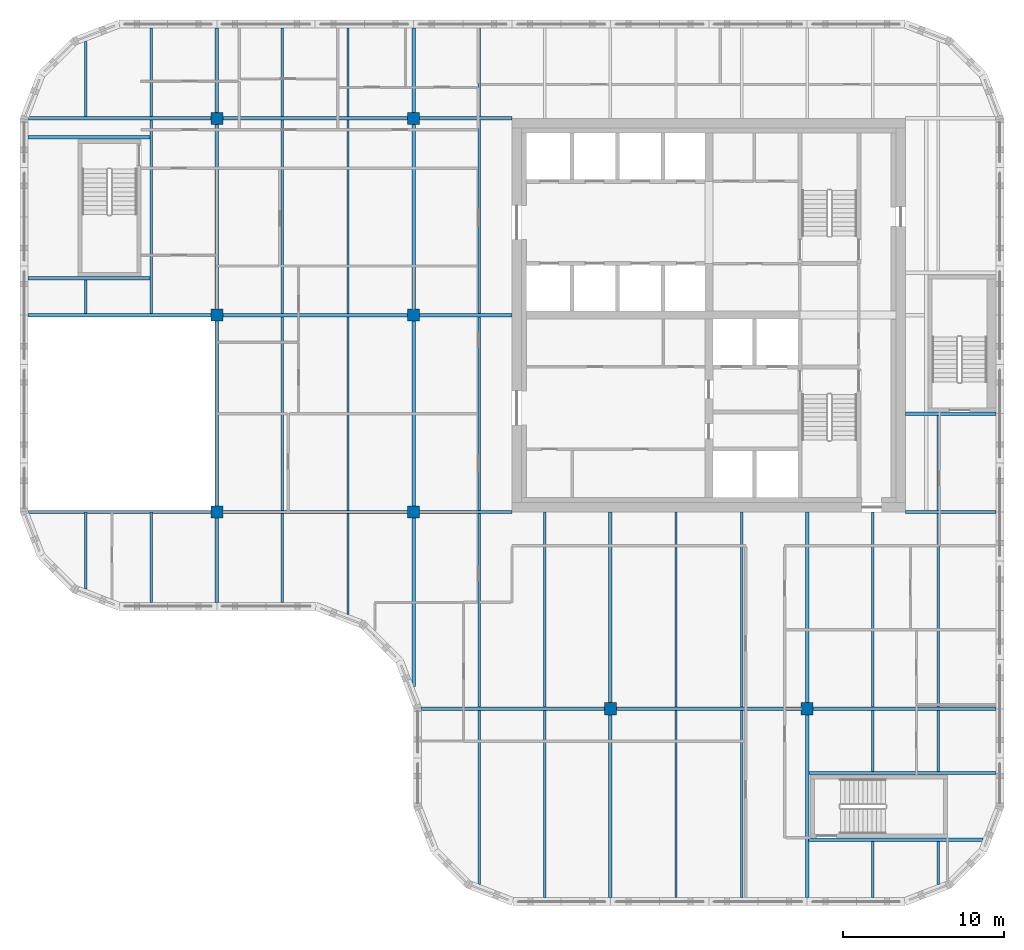
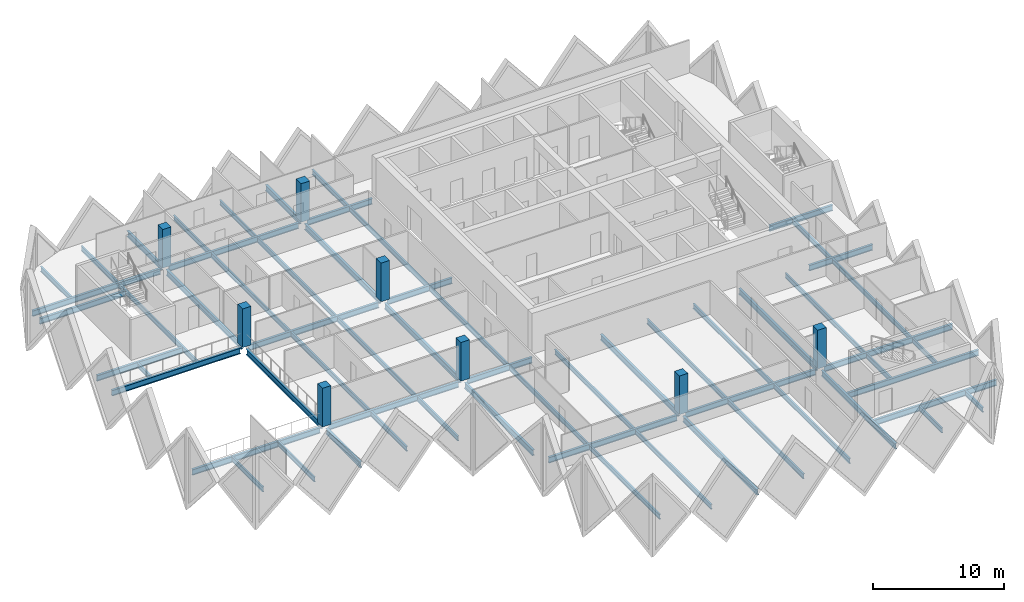
# One storey, part 1 of 11: 62 beams, 8 columns.
"""IFC4 building model written with IfcOpenShell, lengths in metres."""

from ifc_helpers import new_model, si_unit, direction, frame, origin, origin_2d, place, context, subcontext, project, spatial, rectangle, i_section, extrude, material, material_profile, profile_set, type_object, element, save


model = new_model("IFC4")

# Units and contexts
model_context = context("Model", 3, precision=1e-05, world=origin(), true_north=direction((0.0, 1.0)))
body_context = subcontext(model_context, "Body", "Model", "MODEL_VIEW")
ifc_project = project(units=[si_unit("LENGTHUNIT", "METRE"), si_unit("AREAUNIT", "SQUARE_METRE"), si_unit("VOLUMEUNIT", "CUBIC_METRE"), si_unit("PLANEANGLEUNIT", "RADIAN"), si_unit("MASSUNIT", "GRAM", prefix="KILO")], contexts=[model_context])

# Site, building, storey
site_placement = place(None, origin())
site = spatial("IfcSite", under=ifc_project, at=site_placement, CompositionType="ELEMENT")
building_placement = place(site_placement, origin())
building = spatial("IfcBuilding", under=site, at=building_placement, Name="Tessera Gate Towers", CompositionType="ELEMENT")
storey_placement = place(building_placement, frame((0.0, 0.0, 166.800048828125)))
storey = spatial("IfcBuildingStorey", under=building, at=storey_placement, Name="L41", CompositionType="ELEMENT", Elevation=166.800048828125)

# Columns
ifc_material_1 = material(Name="Concrete C70/85", Category="concrete")
ifc_material_profile_1 = material_profile(ifc_material_1, rectangle(XDim=0.75, YDim=0.75, at=origin_2d()), Name="RC 750x750")
ifc_profile_set_1 = profile_set([ifc_material_profile_1], Name="Concrete C70/85")
column_type = type_object("IfcColumnType", Name="COLUMN RC 750x750", PredefinedType="COLUMN", material=ifc_profile_set_1)
for number, where, z_axis, x_axis, name in (
    (1, (12.199951171875, 24.39990234375, 0.0), (0.0, 0.0, 1.0), (1.0, 0.0, 0.0), "T1-COL-2C-L41"),
    (2, (12.199951171875, 36.60009765625, 0.0), (0.0, 0.0, 1.0), (1.0, 0.0, 0.0), "T1-COL-2D-L41"),
    (3, (12.199951171875, 48.800048828125, 0.0), (0.0, 0.0, 1.0), (1.0, 0.0, 0.0), "T1-COL-2E-L41"),
    (4, (24.39990234375, 24.39990234375, 0.0), (0.0, 0.0, 1.0), (1.0, 0.0, 0.0), "T1-COL-3C-L41"),
    (5, (24.39990234375, 36.60009765625, 0.0), (0.0, 0.0, 1.0), (1.0, 0.0, 0.0), "T1-COL-3D-L41"),
    (6, (24.39990234375, 48.800048828125, 0.0), (0.0, 0.0, 1.0), (1.0, 0.0, 0.0), "T1-COL-3E-L41"),
    (7, (36.60009765625, 12.199951171875, 0.0), (0.0, 0.0, 1.0), (1.0, 0.0, 0.0), "T1-COL-4B-L41"),
    (8, (48.800048828125, 12.199951171875, 0.0), (0.0, 0.0, 1.0), (1.0, 0.0, 0.0), "T1-COL-5B-L41"),
):
    element("IfcColumn", number, at=place(storey_placement, frame(where, z_axis=z_axis, x_axis=x_axis)), inside=storey, type_object=column_type, Name=name, PredefinedType="COLUMN", context=body_context, shape_type="SweptSolid", body=[
        extrude(rectangle(XDim=0.75, YDim=0.75, at=origin_2d()), origin(), (0.0, 0.0, 1.0), 3.599853515625),
    ])

# Beams
ifc_material_2 = material(Name="Steel 350W", Category="steel")
ifc_material_profile_2 = material_profile(ifc_material_2, i_section(OverallWidth=0.208984375, OverallDepth=0.532958984375, WebThickness=0.01025390625, FlangeThickness=0.015625, at=origin_2d()), Name="W530x92")
ifc_profile_set_2 = profile_set([ifc_material_profile_2], Name="Steel 350W")
beam_type_1 = type_object("IfcBeamType", Name="FLOOR GIRDER W530x92", PredefinedType="BEAM", material=ifc_profile_set_2)
beam_1_placement = place(storey_placement, frame((24.89892578125, 12.199951171875, -0.466552734375), z_axis=(1.0, 0.0, 0.0), x_axis=(0.0, 1.0, 0.0)))
element("IfcBeam", 9, at=beam_1_placement, inside=storey, type_object=beam_type_1, Name="T1-GD-L41-4590", PredefinedType="BEAM", context=body_context, shape_type="SweptSolid", body=[
    extrude(i_section(OverallWidth=0.208984375, OverallDepth=0.532958984375, WebThickness=0.01025390625, FlangeThickness=0.015625, at=origin_2d()), origin(), (0.0, 0.0, 1.0), 11.326171875),
])
beam_2_placement = place(storey_placement, frame((36.97509765625, 12.199951171875, -0.466552734375), z_axis=(1.0, 0.0, 0.0), x_axis=(0.0, 1.0, 0.0)))
element("IfcBeam", 10, at=beam_2_placement, inside=storey, type_object=beam_type_1, Name="T1-GD-L41-4591", PredefinedType="BEAM", context=body_context, shape_type="SweptSolid", body=[
    extrude(i_section(OverallWidth=0.208984375, OverallDepth=0.532958984375, WebThickness=0.01025390625, FlangeThickness=0.015625, at=origin_2d()), origin(), (0.0, 0.0, 1.0), 11.449951171875),
])
beam_3_placement = place(storey_placement, frame((49.175048828125, 12.199951171875, -0.466552734375), z_axis=(1.0, 0.0, 0.0), x_axis=(0.0, 1.0, 0.0)))
element("IfcBeam", 11, at=beam_3_placement, inside=storey, type_object=beam_type_1, Name="T1-GD-L41-4592", PredefinedType="BEAM", context=body_context, shape_type="SweptSolid", body=[
    extrude(i_section(OverallWidth=0.208984375, OverallDepth=0.532958984375, WebThickness=0.01025390625, FlangeThickness=0.015625, at=origin_2d()), origin(), (0.0, 0.0, 1.0), 11.325927734375),
])
beam_4_placement = place(storey_placement, frame((0.534912109375, 24.39990234375, -0.466552734375), z_axis=(1.0, 0.0, 0.0), x_axis=(0.0, 1.0, 0.0)))
element("IfcBeam", 12, at=beam_4_placement, inside=storey, type_object=beam_type_1, Name="T1-GD-L41-4593", PredefinedType="BEAM", context=body_context, shape_type="SweptSolid", body=[
    extrude(i_section(OverallWidth=0.208984375, OverallDepth=0.532958984375, WebThickness=0.01025390625, FlangeThickness=0.015625, at=origin_2d()), origin(), (0.0, 0.0, 1.0), 11.2900390625),
])
beam_5_placement = place(storey_placement, frame((12.574951171875, 24.39990234375, -0.466552734375), z_axis=(1.0, 0.0, 0.0), x_axis=(0.0, 1.0, 0.0)))
element("IfcBeam", 13, at=beam_5_placement, inside=storey, type_object=beam_type_1, Name="T1-GD-L41-4594", PredefinedType="BEAM", context=body_context, shape_type="SweptSolid", body=[
    extrude(i_section(OverallWidth=0.208984375, OverallDepth=0.532958984375, WebThickness=0.01025390625, FlangeThickness=0.015625, at=origin_2d()), origin(), (0.0, 0.0, 1.0), 11.449951171875),
])
beam_6_placement = place(storey_placement, frame((24.77490234375, 24.39990234375, -0.466552734375), z_axis=(1.0, 0.0, 0.0), x_axis=(0.0, 1.0, 0.0)))
element("IfcBeam", 14, at=beam_6_placement, inside=storey, type_object=beam_type_1, Name="T1-GD-L41-4595", PredefinedType="BEAM", context=body_context, shape_type="SweptSolid", body=[
    extrude(i_section(OverallWidth=0.208984375, OverallDepth=0.532958984375, WebThickness=0.01025390625, FlangeThickness=0.015625, at=origin_2d()), origin(), (0.0, 0.0, 1.0), 5.72412109375),
])
beam_7_placement = place(storey_placement, frame((54.90087890625, 24.39990234375, -0.466552734375), z_axis=(1.0, 0.0, 0.0), x_axis=(0.0, 1.0, 0.0)))
element("IfcBeam", 15, at=beam_7_placement, inside=storey, type_object=beam_type_1, Name="T1-GD-L41-4596", PredefinedType="BEAM", context=body_context, shape_type="SweptSolid", body=[
    extrude(i_section(OverallWidth=0.208984375, OverallDepth=0.532958984375, WebThickness=0.01025390625, FlangeThickness=0.015625, at=origin_2d()), origin(), (0.0, 0.0, 1.0), 5.60009765625),
])
beam_8_placement = place(storey_placement, frame((0.4990234375, 36.60009765625, -0.466552734375), z_axis=(1.0, 0.0, 0.0), x_axis=(0.0, 1.0, 0.0)))
element("IfcBeam", 16, at=beam_8_placement, inside=storey, type_object=beam_type_1, Name="T1-GD-L41-4597", PredefinedType="BEAM", context=body_context, shape_type="SweptSolid", body=[
    extrude(i_section(OverallWidth=0.208984375, OverallDepth=0.532958984375, WebThickness=0.01025390625, FlangeThickness=0.015625, at=origin_2d()), origin(), (0.0, 0.0, 1.0), 11.325927734375),
])
beam_9_placement = place(storey_placement, frame((12.574951171875, 36.60009765625, -0.466552734375), z_axis=(1.0, 0.0, 0.0), x_axis=(0.0, 1.0, 0.0)))
element("IfcBeam", 17, at=beam_9_placement, inside=storey, type_object=beam_type_1, Name="T1-GD-L41-4598", PredefinedType="BEAM", context=body_context, shape_type="SweptSolid", body=[
    extrude(i_section(OverallWidth=0.208984375, OverallDepth=0.532958984375, WebThickness=0.01025390625, FlangeThickness=0.015625, at=origin_2d()), origin(), (0.0, 0.0, 1.0), 11.449951171875),
])
beam_10_placement = place(storey_placement, frame((24.77490234375, 36.60009765625, -0.466552734375), z_axis=(1.0, 0.0, 0.0), x_axis=(0.0, 1.0, 0.0)))
element("IfcBeam", 18, at=beam_10_placement, inside=storey, type_object=beam_type_1, Name="T1-GD-L41-4599", PredefinedType="BEAM", context=body_context, shape_type="SweptSolid", body=[
    extrude(i_section(OverallWidth=0.208984375, OverallDepth=0.532958984375, WebThickness=0.01025390625, FlangeThickness=0.015625, at=origin_2d()), origin(), (0.0, 0.0, 1.0), 5.72607421875),
])
beam_11_placement = place(storey_placement, frame((0.534912109375, 48.800048828125, -0.466552734375), z_axis=(1.0, 0.0, 0.0), x_axis=(0.0, 1.0, 0.0)))
element("IfcBeam", 19, at=beam_11_placement, inside=storey, type_object=beam_type_1, Name="T1-GD-L41-4601", PredefinedType="BEAM", context=body_context, shape_type="SweptSolid", body=[
    extrude(i_section(OverallWidth=0.208984375, OverallDepth=0.532958984375, WebThickness=0.01025390625, FlangeThickness=0.015625, at=origin_2d()), origin(), (0.0, 0.0, 1.0), 11.2900390625),
])
beam_12_placement = place(storey_placement, frame((12.574951171875, 48.800048828125, -0.466552734375), z_axis=(1.0, 0.0, 0.0), x_axis=(0.0, 1.0, 0.0)))
element("IfcBeam", 20, at=beam_12_placement, inside=storey, type_object=beam_type_1, Name="T1-GD-L41-4602", PredefinedType="BEAM", context=body_context, shape_type="SweptSolid", body=[
    extrude(i_section(OverallWidth=0.208984375, OverallDepth=0.532958984375, WebThickness=0.01025390625, FlangeThickness=0.015625, at=origin_2d()), origin(), (0.0, 0.0, 1.0), 11.449951171875),
])
beam_13_placement = place(storey_placement, frame((24.77490234375, 48.800048828125, -0.466552734375), z_axis=(1.0, 0.0, 0.0), x_axis=(0.0, 1.0, 0.0)))
element("IfcBeam", 21, at=beam_13_placement, inside=storey, type_object=beam_type_1, Name="T1-GD-L41-4603", PredefinedType="BEAM", context=body_context, shape_type="SweptSolid", body=[
    extrude(i_section(OverallWidth=0.208984375, OverallDepth=0.532958984375, WebThickness=0.01025390625, FlangeThickness=0.015625, at=origin_2d()), origin(), (0.0, 0.0, 1.0), 5.72412109375),
])
beam_14_placement = place(storey_placement, frame((12.199951171875, 18.799072265625, -0.466552734375), z_axis=(0.0, 1.0, 0.0), x_axis=(-1.0, 0.0, 0.0)))
element("IfcBeam", 22, at=beam_14_placement, inside=storey, type_object=beam_type_1, Name="T1-GD-L41-4605", PredefinedType="BEAM", context=body_context, shape_type="SweptSolid", body=[
    extrude(i_section(OverallWidth=0.208984375, OverallDepth=0.532958984375, WebThickness=0.01025390625, FlangeThickness=0.015625, at=origin_2d()), origin(), (0.0, 0.0, 1.0), 5.225830078125),
])
beam_15_placement = place(storey_placement, frame((12.199951171875, 24.77490234375, -0.466552734375), z_axis=(0.0, 1.0, 0.0), x_axis=(-1.0, 0.0, 0.0)))
element("IfcBeam", 23, at=beam_15_placement, inside=storey, type_object=beam_type_1, Name="T1-GD-L41-4606", PredefinedType="BEAM", context=body_context, shape_type="SweptSolid", body=[
    extrude(i_section(OverallWidth=0.208984375, OverallDepth=0.532958984375, WebThickness=0.01025390625, FlangeThickness=0.015625, at=origin_2d()), origin(), (0.0, 0.0, 1.0), 11.4501953125),
])
beam_16_placement = place(storey_placement, frame((12.199951171875, 36.97509765625, -0.466552734375), z_axis=(0.0, 1.0, 0.0), x_axis=(-1.0, 0.0, 0.0)))
element("IfcBeam", 24, at=beam_16_placement, inside=storey, type_object=beam_type_1, Name="T1-GD-L41-4607", PredefinedType="BEAM", context=body_context, shape_type="SweptSolid", body=[
    extrude(i_section(OverallWidth=0.208984375, OverallDepth=0.532958984375, WebThickness=0.01025390625, FlangeThickness=0.015625, at=origin_2d()), origin(), (0.0, 0.0, 1.0), 11.449951171875),
])
beam_17_placement = place(storey_placement, frame((12.199951171875, 49.175048828125, -0.466552734375), z_axis=(0.0, 1.0, 0.0), x_axis=(-1.0, 0.0, 0.0)))
element("IfcBeam", 25, at=beam_17_placement, inside=storey, type_object=beam_type_1, Name="T1-GD-L41-4608", PredefinedType="BEAM", context=body_context, shape_type="SweptSolid", body=[
    extrude(i_section(OverallWidth=0.208984375, OverallDepth=0.532958984375, WebThickness=0.01025390625, FlangeThickness=0.015625, at=origin_2d()), origin(), (0.0, 0.0, 1.0), 5.225830078125),
])
beam_18_placement = place(storey_placement, frame((24.39990234375, 13.58642578125, -0.466552734375), z_axis=(0.0, 1.0, 0.0), x_axis=(-1.0, 0.0, 0.0)))
element("IfcBeam", 26, at=beam_18_placement, inside=storey, type_object=beam_type_1, Name="T1-GD-L41-4609", PredefinedType="BEAM", context=body_context, shape_type="SweptSolid", body=[
    extrude(i_section(OverallWidth=0.208984375, OverallDepth=0.532958984375, WebThickness=0.01025390625, FlangeThickness=0.015625, at=origin_2d()), origin(), (0.0, 0.0, 1.0), 10.4384765625),
])
beam_19_placement = place(storey_placement, frame((24.39990234375, 24.77490234375, -0.466552734375), z_axis=(0.0, 1.0, 0.0), x_axis=(-1.0, 0.0, 0.0)))
element("IfcBeam", 27, at=beam_19_placement, inside=storey, type_object=beam_type_1, Name="T1-GD-L41-4610", PredefinedType="BEAM", context=body_context, shape_type="SweptSolid", body=[
    extrude(i_section(OverallWidth=0.208984375, OverallDepth=0.532958984375, WebThickness=0.01025390625, FlangeThickness=0.015625, at=origin_2d()), origin(), (0.0, 0.0, 1.0), 11.4501953125),
])
beam_20_placement = place(storey_placement, frame((24.39990234375, 36.97509765625, -0.466552734375), z_axis=(0.0, 1.0, 0.0), x_axis=(-1.0, 0.0, 0.0)))
element("IfcBeam", 28, at=beam_20_placement, inside=storey, type_object=beam_type_1, Name="T1-GD-L41-4611", PredefinedType="BEAM", context=body_context, shape_type="SweptSolid", body=[
    extrude(i_section(OverallWidth=0.208984375, OverallDepth=0.532958984375, WebThickness=0.01025390625, FlangeThickness=0.015625, at=origin_2d()), origin(), (0.0, 0.0, 1.0), 11.449951171875),
])
beam_21_placement = place(storey_placement, frame((24.39990234375, 49.175048828125, -0.466552734375), z_axis=(0.0, 1.0, 0.0), x_axis=(-1.0, 0.0, 0.0)))
element("IfcBeam", 29, at=beam_21_placement, inside=storey, type_object=beam_type_1, Name="T1-GD-L41-4612", PredefinedType="BEAM", context=body_context, shape_type="SweptSolid", body=[
    extrude(i_section(OverallWidth=0.208984375, OverallDepth=0.532958984375, WebThickness=0.01025390625, FlangeThickness=0.015625, at=origin_2d()), origin(), (0.0, 0.0, 1.0), 5.225830078125),
])
beam_22_placement = place(storey_placement, frame((36.60009765625, 0.4990234375, -0.466552734375), z_axis=(0.0, 1.0, 0.0), x_axis=(-1.0, 0.0, 0.0)))
element("IfcBeam", 30, at=beam_22_placement, inside=storey, type_object=beam_type_1, Name="T1-GD-L41-4613", PredefinedType="BEAM", context=body_context, shape_type="SweptSolid", body=[
    extrude(i_section(OverallWidth=0.208984375, OverallDepth=0.532958984375, WebThickness=0.01025390625, FlangeThickness=0.015625, at=origin_2d()), origin(), (0.0, 0.0, 1.0), 11.325927734375),
])
beam_23_placement = place(storey_placement, frame((36.60009765625, 12.574951171875, -0.466552734375), z_axis=(0.0, 1.0, 0.0), x_axis=(-1.0, 0.0, 0.0)))
element("IfcBeam", 31, at=beam_23_placement, inside=storey, type_object=beam_type_1, Name="T1-GD-L41-4614", PredefinedType="BEAM", context=body_context, shape_type="SweptSolid", body=[
    extrude(i_section(OverallWidth=0.208984375, OverallDepth=0.532958984375, WebThickness=0.01025390625, FlangeThickness=0.015625, at=origin_2d()), origin(), (0.0, 0.0, 1.0), 11.824951171875),
])
beam_24_placement = place(storey_placement, frame((48.800048828125, 0.4990234375, -0.466552734375), z_axis=(0.0, 1.0, 0.0), x_axis=(-1.0, 0.0, 0.0)))
element("IfcBeam", 32, at=beam_24_placement, inside=storey, type_object=beam_type_1, Name="T1-GD-L41-4615", PredefinedType="BEAM", context=body_context, shape_type="SweptSolid", body=[
    extrude(i_section(OverallWidth=0.208984375, OverallDepth=0.532958984375, WebThickness=0.01025390625, FlangeThickness=0.015625, at=origin_2d()), origin(), (0.0, 0.0, 1.0), 11.325927734375),
])
beam_25_placement = place(storey_placement, frame((48.800048828125, 12.574951171875, -0.466552734375), z_axis=(0.0, 1.0, 0.0), x_axis=(-1.0, 0.0, 0.0)))
element("IfcBeam", 33, at=beam_25_placement, inside=storey, type_object=beam_type_1, Name="T1-GD-L41-4616", PredefinedType="BEAM", context=body_context, shape_type="SweptSolid", body=[
    extrude(i_section(OverallWidth=0.208984375, OverallDepth=0.532958984375, WebThickness=0.01025390625, FlangeThickness=0.015625, at=origin_2d()), origin(), (0.0, 0.0, 1.0), 11.824951171875),
])
for number, where, z_axis, x_axis, name in (
    (34, (0.4990234375, 38.8798828125, -0.466552734375), (1.0, 0.0, 0.0), (0.0, 1.0, 0.0), "T1-GD-L41-4617"),
    (35, (0.4990234375, 47.6201171875, -0.466552734375), (1.0, 0.0, 0.0), (0.0, 1.0, 0.0), "T1-GD-L41-4618"),
):
    element("IfcBeam", number, at=place(storey_placement, frame(where, z_axis=z_axis, x_axis=x_axis)), inside=storey, type_object=beam_type_1, Name=name, PredefinedType="BEAM", context=body_context, shape_type="SweptSolid", body=[
        extrude(i_section(OverallWidth=0.208984375, OverallDepth=0.532958984375, WebThickness=0.01025390625, FlangeThickness=0.015625, at=origin_2d()), origin(), (0.0, 0.0, 1.0), 7.557861328125),
    ])
beam_26_placement = place(storey_placement, frame((48.87646484375, 4.080078125, -0.466552734375), z_axis=(1.0, 0.0, 0.0), x_axis=(0.0, 1.0, 0.0)))
element("IfcBeam", 36, at=beam_26_placement, inside=storey, type_object=beam_type_1, Name="T1-GD-L41-4619", PredefinedType="BEAM", context=body_context, shape_type="SweptSolid", body=[
    extrude(i_section(OverallWidth=0.208984375, OverallDepth=0.532958984375, WebThickness=0.01025390625, FlangeThickness=0.015625, at=origin_2d()), origin(), (0.0, 0.0, 1.0), 10.809326171875),
])
beam_27_placement = place(storey_placement, frame((48.87646484375, 8.219970703125, -0.466552734375), z_axis=(1.0, 0.0, 0.0), x_axis=(0.0, 1.0, 0.0)))
element("IfcBeam", 37, at=beam_27_placement, inside=storey, type_object=beam_type_1, Name="T1-GD-L41-4620", PredefinedType="BEAM", context=body_context, shape_type="SweptSolid", body=[
    extrude(i_section(OverallWidth=0.208984375, OverallDepth=0.532958984375, WebThickness=0.01025390625, FlangeThickness=0.015625, at=origin_2d()), origin(), (0.0, 0.0, 1.0), 11.62451171875),
])
beam_28_placement = place(storey_placement, frame((54.89892578125, 30.47998046875, -0.466552734375), z_axis=(1.0, 0.0, 0.0), x_axis=(0.0, 1.0, 0.0)))
element("IfcBeam", 38, at=beam_28_placement, inside=storey, type_object=beam_type_1, Name="T1-GD-L41-4621", PredefinedType="BEAM", context=body_context, shape_type="SweptSolid", body=[
    extrude(i_section(OverallWidth=0.208984375, OverallDepth=0.532958984375, WebThickness=0.01025390625, FlangeThickness=0.015625, at=origin_2d()), origin(), (0.0, 0.0, 1.0), 5.60205078125),
])
ifc_material_3 = material(Name="Steel 350W", Category="steel")
ifc_material_profile_3 = material_profile(ifc_material_3, i_section(OverallWidth=0.153076171875, OverallDepth=0.455078125, WebThickness=0.008056640625, FlangeThickness=0.01318359375, at=origin_2d()), Name="W460x60")
ifc_profile_set_3 = profile_set([ifc_material_profile_3], Name="Steel 350W")
beam_type_2 = type_object("IfcBeamType", Name="FLOOR SECONDARY W460x60", PredefinedType="BEAM", material=ifc_profile_set_3)
beam_29_placement = place(storey_placement, frame((4.066650390625, 19.620361328125, -0.427490234375), z_axis=(0.0, 1.0, 0.0), x_axis=(-1.0, 0.0, 0.0)))
element("IfcBeam", 39, at=beam_29_placement, inside=storey, type_object=beam_type_2, Name="T1-BM-L41-4624", PredefinedType="BEAM", context=body_context, shape_type="SweptSolid", body=[
    extrude(i_section(OverallWidth=0.153076171875, OverallDepth=0.455078125, WebThickness=0.008056640625, FlangeThickness=0.01318359375, at=origin_2d()), origin(), (0.0, 0.0, 1.0), 4.779541015625),
])
beam_30_placement = place(storey_placement, frame((4.066650390625, 36.70458984375, -0.427490234375), z_axis=(0.0, 1.0, 0.0), x_axis=(-1.0, 0.0, 0.0)))
element("IfcBeam", 40, at=beam_30_placement, inside=storey, type_object=beam_type_2, Name="T1-BM-L41-4625", PredefinedType="BEAM", context=body_context, shape_type="SweptSolid", body=[
    extrude(i_section(OverallWidth=0.153076171875, OverallDepth=0.455078125, WebThickness=0.008056640625, FlangeThickness=0.01318359375, at=origin_2d()), origin(), (0.0, 0.0, 1.0), 2.07080078125),
])
beam_31_placement = place(storey_placement, frame((4.066650390625, 48.904541015625, -0.427490234375), z_axis=(0.0, 1.0, 0.0), x_axis=(-1.0, 0.0, 0.0)))
element("IfcBeam", 41, at=beam_31_placement, inside=storey, type_object=beam_type_2, Name="T1-BM-L41-4626", PredefinedType="BEAM", context=body_context, shape_type="SweptSolid", body=[
    extrude(i_section(OverallWidth=0.153076171875, OverallDepth=0.455078125, WebThickness=0.008056640625, FlangeThickness=0.01318359375, at=origin_2d()), origin(), (0.0, 0.0, 1.0), 4.675048828125),
])
beam_32_placement = place(storey_placement, frame((8.13330078125, 18.800048828125, -0.427490234375), z_axis=(0.0, 1.0, 0.0), x_axis=(-1.0, 0.0, 0.0)))
element("IfcBeam", 42, at=beam_32_placement, inside=storey, type_object=beam_type_2, Name="T1-BM-L41-4627", PredefinedType="BEAM", context=body_context, shape_type="SweptSolid", body=[
    extrude(i_section(OverallWidth=0.153076171875, OverallDepth=0.455078125, WebThickness=0.008056640625, FlangeThickness=0.01318359375, at=origin_2d()), origin(), (0.0, 0.0, 1.0), 5.599853515625),
])
beam_33_placement = place(storey_placement, frame((8.13330078125, 36.70458984375, -0.427490234375), z_axis=(0.0, 1.0, 0.0), x_axis=(-1.0, 0.0, 0.0)))
element("IfcBeam", 43, at=beam_33_placement, inside=storey, type_object=beam_type_2, Name="T1-BM-L41-4628", PredefinedType="BEAM", context=body_context, shape_type="SweptSolid", body=[
    extrude(i_section(OverallWidth=0.153076171875, OverallDepth=0.455078125, WebThickness=0.008056640625, FlangeThickness=0.01318359375, at=origin_2d()), origin(), (0.0, 0.0, 1.0), 11.990966796875),
])
for number, where, z_axis, x_axis, name in (
    (44, (8.13330078125, 48.904541015625, -0.427490234375), (0.0, 1.0, 0.0), (-1.0, 0.0, 0.0), "T1-BM-L41-4629"),
    (45, (16.2666015625, 18.800048828125, -0.427490234375), (0.0, 1.0, 0.0), (-1.0, 0.0, 0.0), "T1-BM-L41-4630"),
):
    element("IfcBeam", number, at=place(storey_placement, frame(where, z_axis=z_axis, x_axis=x_axis)), inside=storey, type_object=beam_type_2, Name=name, PredefinedType="BEAM", context=body_context, shape_type="SweptSolid", body=[
        extrude(i_section(OverallWidth=0.153076171875, OverallDepth=0.455078125, WebThickness=0.008056640625, FlangeThickness=0.01318359375, at=origin_2d()), origin(), (0.0, 0.0, 1.0), 5.495361328125),
    ])
beam_34_placement = place(storey_placement, frame((16.2666015625, 24.50439453125, -0.427490234375), z_axis=(0.0, 1.0, 0.0), x_axis=(-1.0, 0.0, 0.0)))
element("IfcBeam", 46, at=beam_34_placement, inside=storey, type_object=beam_type_2, Name="T1-BM-L41-4631", PredefinedType="BEAM", context=body_context, shape_type="SweptSolid", body=[
    extrude(i_section(OverallWidth=0.153076171875, OverallDepth=0.455078125, WebThickness=0.008056640625, FlangeThickness=0.01318359375, at=origin_2d()), origin(), (0.0, 0.0, 1.0), 11.9912109375),
])
beam_35_placement = place(storey_placement, frame((16.2666015625, 36.70458984375, -0.427490234375), z_axis=(0.0, 1.0, 0.0), x_axis=(-1.0, 0.0, 0.0)))
element("IfcBeam", 47, at=beam_35_placement, inside=storey, type_object=beam_type_2, Name="T1-BM-L41-4632", PredefinedType="BEAM", context=body_context, shape_type="SweptSolid", body=[
    extrude(i_section(OverallWidth=0.153076171875, OverallDepth=0.455078125, WebThickness=0.008056640625, FlangeThickness=0.01318359375, at=origin_2d()), origin(), (0.0, 0.0, 1.0), 11.990966796875),
])
beam_36_placement = place(storey_placement, frame((16.2666015625, 48.904541015625, -0.427490234375), z_axis=(0.0, 1.0, 0.0), x_axis=(-1.0, 0.0, 0.0)))
element("IfcBeam", 48, at=beam_36_placement, inside=storey, type_object=beam_type_2, Name="T1-BM-L41-4633", PredefinedType="BEAM", context=body_context, shape_type="SweptSolid", body=[
    extrude(i_section(OverallWidth=0.153076171875, OverallDepth=0.455078125, WebThickness=0.008056640625, FlangeThickness=0.01318359375, at=origin_2d()), origin(), (0.0, 0.0, 1.0), 5.495361328125),
])
beam_37_placement = place(storey_placement, frame((20.333251953125, 18.051513671875, -0.427490234375), z_axis=(0.0, 1.0, 0.0), x_axis=(-1.0, 0.0, 0.0)))
element("IfcBeam", 49, at=beam_37_placement, inside=storey, type_object=beam_type_2, Name="T1-BM-L41-4634", PredefinedType="BEAM", context=body_context, shape_type="SweptSolid", body=[
    extrude(i_section(OverallWidth=0.153076171875, OverallDepth=0.455078125, WebThickness=0.008056640625, FlangeThickness=0.01318359375, at=origin_2d()), origin(), (0.0, 0.0, 1.0), 6.243896484375),
])
beam_38_placement = place(storey_placement, frame((20.333251953125, 24.50439453125, -0.427490234375), z_axis=(0.0, 1.0, 0.0), x_axis=(-1.0, 0.0, 0.0)))
element("IfcBeam", 50, at=beam_38_placement, inside=storey, type_object=beam_type_2, Name="T1-BM-L41-4635", PredefinedType="BEAM", context=body_context, shape_type="SweptSolid", body=[
    extrude(i_section(OverallWidth=0.153076171875, OverallDepth=0.455078125, WebThickness=0.008056640625, FlangeThickness=0.01318359375, at=origin_2d()), origin(), (0.0, 0.0, 1.0), 11.9912109375),
])
beam_39_placement = place(storey_placement, frame((20.333251953125, 36.70458984375, -0.427490234375), z_axis=(0.0, 1.0, 0.0), x_axis=(-1.0, 0.0, 0.0)))
element("IfcBeam", 51, at=beam_39_placement, inside=storey, type_object=beam_type_2, Name="T1-BM-L41-4636", PredefinedType="BEAM", context=body_context, shape_type="SweptSolid", body=[
    extrude(i_section(OverallWidth=0.153076171875, OverallDepth=0.455078125, WebThickness=0.008056640625, FlangeThickness=0.01318359375, at=origin_2d()), origin(), (0.0, 0.0, 1.0), 11.990966796875),
])
beam_40_placement = place(storey_placement, frame((20.333251953125, 48.904541015625, -0.427490234375), z_axis=(0.0, 1.0, 0.0), x_axis=(-1.0, 0.0, 0.0)))
element("IfcBeam", 52, at=beam_40_placement, inside=storey, type_object=beam_type_2, Name="T1-BM-L41-4637", PredefinedType="BEAM", context=body_context, shape_type="SweptSolid", body=[
    extrude(i_section(OverallWidth=0.153076171875, OverallDepth=0.455078125, WebThickness=0.008056640625, FlangeThickness=0.01318359375, at=origin_2d()), origin(), (0.0, 0.0, 1.0), 5.495361328125),
])
beam_41_placement = place(storey_placement, frame((28.466796875, 1.3203125, -0.427490234375), z_axis=(0.0, 1.0, 0.0), x_axis=(-1.0, 0.0, 0.0)))
element("IfcBeam", 53, at=beam_41_placement, inside=storey, type_object=beam_type_2, Name="T1-BM-L41-4638", PredefinedType="BEAM", context=body_context, shape_type="SweptSolid", body=[
    extrude(i_section(OverallWidth=0.153076171875, OverallDepth=0.455078125, WebThickness=0.008056640625, FlangeThickness=0.01318359375, at=origin_2d()), origin(), (0.0, 0.0, 1.0), 10.775146484375),
])
beam_42_placement = place(storey_placement, frame((28.466796875, 12.304443359375, -0.427490234375), z_axis=(0.0, 1.0, 0.0), x_axis=(-1.0, 0.0, 0.0)))
element("IfcBeam", 54, at=beam_42_placement, inside=storey, type_object=beam_type_2, Name="T1-BM-L41-4639", PredefinedType="BEAM", context=body_context, shape_type="SweptSolid", body=[
    extrude(i_section(OverallWidth=0.153076171875, OverallDepth=0.455078125, WebThickness=0.008056640625, FlangeThickness=0.01318359375, at=origin_2d()), origin(), (0.0, 0.0, 1.0), 11.990966796875),
])
beam_43_placement = place(storey_placement, frame((28.466796875, 24.50439453125, -0.427490234375), z_axis=(0.0, 1.0, 0.0), x_axis=(-1.0, 0.0, 0.0)))
element("IfcBeam", 55, at=beam_43_placement, inside=storey, type_object=beam_type_2, Name="T1-BM-L41-4640", PredefinedType="BEAM", context=body_context, shape_type="SweptSolid", body=[
    extrude(i_section(OverallWidth=0.153076171875, OverallDepth=0.455078125, WebThickness=0.008056640625, FlangeThickness=0.01318359375, at=origin_2d()), origin(), (0.0, 0.0, 1.0), 11.9912109375),
])
beam_44_placement = place(storey_placement, frame((28.466796875, 36.70458984375, -0.427490234375), z_axis=(0.0, 1.0, 0.0), x_axis=(-1.0, 0.0, 0.0)))
element("IfcBeam", 56, at=beam_44_placement, inside=storey, type_object=beam_type_2, Name="T1-BM-L41-4641", PredefinedType="BEAM", context=body_context, shape_type="SweptSolid", body=[
    extrude(i_section(OverallWidth=0.153076171875, OverallDepth=0.455078125, WebThickness=0.008056640625, FlangeThickness=0.01318359375, at=origin_2d()), origin(), (0.0, 0.0, 1.0), 11.990966796875),
])
beam_45_placement = place(storey_placement, frame((28.466796875, 48.904541015625, -0.427490234375), z_axis=(0.0, 1.0, 0.0), x_axis=(-1.0, 0.0, 0.0)))
element("IfcBeam", 57, at=beam_45_placement, inside=storey, type_object=beam_type_2, Name="T1-BM-L41-4642", PredefinedType="BEAM", context=body_context, shape_type="SweptSolid", body=[
    extrude(i_section(OverallWidth=0.153076171875, OverallDepth=0.455078125, WebThickness=0.008056640625, FlangeThickness=0.01318359375, at=origin_2d()), origin(), (0.0, 0.0, 1.0), 5.495361328125),
])
beam_46_placement = place(storey_placement, frame((32.533203125, 0.5, -0.427490234375), z_axis=(0.0, 1.0, 0.0), x_axis=(-1.0, 0.0, 0.0)))
element("IfcBeam", 58, at=beam_46_placement, inside=storey, type_object=beam_type_2, Name="T1-BM-L41-4643", PredefinedType="BEAM", context=body_context, shape_type="SweptSolid", body=[
    extrude(i_section(OverallWidth=0.153076171875, OverallDepth=0.455078125, WebThickness=0.008056640625, FlangeThickness=0.01318359375, at=origin_2d()), origin(), (0.0, 0.0, 1.0), 11.595458984375),
])
beam_47_placement = place(storey_placement, frame((32.533203125, 12.304443359375, -0.427490234375), z_axis=(0.0, 1.0, 0.0), x_axis=(-1.0, 0.0, 0.0)))
element("IfcBeam", 59, at=beam_47_placement, inside=storey, type_object=beam_type_2, Name="T1-BM-L41-4644", PredefinedType="BEAM", context=body_context, shape_type="SweptSolid", body=[
    extrude(i_section(OverallWidth=0.153076171875, OverallDepth=0.455078125, WebThickness=0.008056640625, FlangeThickness=0.01318359375, at=origin_2d()), origin(), (0.0, 0.0, 1.0), 12.095458984375),
])
beam_48_placement = place(storey_placement, frame((40.666748046875, 0.5, -0.427490234375), z_axis=(0.0, 1.0, 0.0), x_axis=(-1.0, 0.0, 0.0)))
element("IfcBeam", 60, at=beam_48_placement, inside=storey, type_object=beam_type_2, Name="T1-BM-L41-4647", PredefinedType="BEAM", context=body_context, shape_type="SweptSolid", body=[
    extrude(i_section(OverallWidth=0.153076171875, OverallDepth=0.455078125, WebThickness=0.008056640625, FlangeThickness=0.01318359375, at=origin_2d()), origin(), (0.0, 0.0, 1.0), 11.595458984375),
])
beam_49_placement = place(storey_placement, frame((40.666748046875, 12.304443359375, -0.427490234375), z_axis=(0.0, 1.0, 0.0), x_axis=(-1.0, 0.0, 0.0)))
element("IfcBeam", 61, at=beam_49_placement, inside=storey, type_object=beam_type_2, Name="T1-BM-L41-4648", PredefinedType="BEAM", context=body_context, shape_type="SweptSolid", body=[
    extrude(i_section(OverallWidth=0.153076171875, OverallDepth=0.455078125, WebThickness=0.008056640625, FlangeThickness=0.01318359375, at=origin_2d()), origin(), (0.0, 0.0, 1.0), 12.095458984375),
])
beam_50_placement = place(storey_placement, frame((44.7333984375, 0.5, -0.427490234375), z_axis=(0.0, 1.0, 0.0), x_axis=(-1.0, 0.0, 0.0)))
element("IfcBeam", 62, at=beam_50_placement, inside=storey, type_object=beam_type_2, Name="T1-BM-L41-4650", PredefinedType="BEAM", context=body_context, shape_type="SweptSolid", body=[
    extrude(i_section(OverallWidth=0.153076171875, OverallDepth=0.455078125, WebThickness=0.008056640625, FlangeThickness=0.01318359375, at=origin_2d()), origin(), (0.0, 0.0, 1.0), 11.595458984375),
])
beam_51_placement = place(storey_placement, frame((44.7333984375, 12.304443359375, -0.427490234375), z_axis=(0.0, 1.0, 0.0), x_axis=(-1.0, 0.0, 0.0)))
element("IfcBeam", 63, at=beam_51_placement, inside=storey, type_object=beam_type_2, Name="T1-BM-L41-4651", PredefinedType="BEAM", context=body_context, shape_type="SweptSolid", body=[
    extrude(i_section(OverallWidth=0.153076171875, OverallDepth=0.455078125, WebThickness=0.008056640625, FlangeThickness=0.01318359375, at=origin_2d()), origin(), (0.0, 0.0, 1.0), 12.095458984375),
])
beam_52_placement = place(storey_placement, frame((52.86669921875, 0.5, -0.427490234375), z_axis=(0.0, 1.0, 0.0), x_axis=(-1.0, 0.0, 0.0)))
element("IfcBeam", 64, at=beam_52_placement, inside=storey, type_object=beam_type_2, Name="T1-BM-L41-4654", PredefinedType="BEAM", context=body_context, shape_type="SweptSolid", body=[
    extrude(i_section(OverallWidth=0.153076171875, OverallDepth=0.455078125, WebThickness=0.008056640625, FlangeThickness=0.01318359375, at=origin_2d()), origin(), (0.0, 0.0, 1.0), 3.4755859375),
])
beam_53_placement = place(storey_placement, frame((52.86669921875, 8.324462890625, -0.427490234375), z_axis=(0.0, 1.0, 0.0), x_axis=(-1.0, 0.0, 0.0)))
element("IfcBeam", 65, at=beam_53_placement, inside=storey, type_object=beam_type_2, Name="T1-BM-L41-4655", PredefinedType="BEAM", context=body_context, shape_type="SweptSolid", body=[
    extrude(i_section(OverallWidth=0.153076171875, OverallDepth=0.455078125, WebThickness=0.008056640625, FlangeThickness=0.01318359375, at=origin_2d()), origin(), (0.0, 0.0, 1.0), 3.77099609375),
])
beam_54_placement = place(storey_placement, frame((52.86669921875, 12.304443359375, -0.427490234375), z_axis=(0.0, 1.0, 0.0), x_axis=(-1.0, 0.0, 0.0)))
element("IfcBeam", 66, at=beam_54_placement, inside=storey, type_object=beam_type_2, Name="T1-BM-L41-4656", PredefinedType="BEAM", context=body_context, shape_type="SweptSolid", body=[
    extrude(i_section(OverallWidth=0.153076171875, OverallDepth=0.455078125, WebThickness=0.008056640625, FlangeThickness=0.01318359375, at=origin_2d()), origin(), (0.0, 0.0, 1.0), 12.095458984375),
])
beam_55_placement = place(storey_placement, frame((56.933349609375, 1.3203125, -0.427490234375), z_axis=(0.0, 1.0, 0.0), x_axis=(-1.0, 0.0, 0.0)))
element("IfcBeam", 67, at=beam_55_placement, inside=storey, type_object=beam_type_2, Name="T1-BM-L41-4658", PredefinedType="BEAM", context=body_context, shape_type="SweptSolid", body=[
    extrude(i_section(OverallWidth=0.153076171875, OverallDepth=0.455078125, WebThickness=0.008056640625, FlangeThickness=0.01318359375, at=origin_2d()), origin(), (0.0, 0.0, 1.0), 2.6552734375),
])
beam_56_placement = place(storey_placement, frame((56.933349609375, 8.324462890625, -0.427490234375), z_axis=(0.0, 1.0, 0.0), x_axis=(-1.0, 0.0, 0.0)))
element("IfcBeam", 68, at=beam_56_placement, inside=storey, type_object=beam_type_2, Name="T1-BM-L41-4659", PredefinedType="BEAM", context=body_context, shape_type="SweptSolid", body=[
    extrude(i_section(OverallWidth=0.153076171875, OverallDepth=0.455078125, WebThickness=0.008056640625, FlangeThickness=0.01318359375, at=origin_2d()), origin(), (0.0, 0.0, 1.0), 3.77099609375),
])
beam_57_placement = place(storey_placement, frame((56.933349609375, 12.304443359375, -0.427490234375), z_axis=(0.0, 1.0, 0.0), x_axis=(-1.0, 0.0, 0.0)))
element("IfcBeam", 69, at=beam_57_placement, inside=storey, type_object=beam_type_2, Name="T1-BM-L41-4660", PredefinedType="BEAM", context=body_context, shape_type="SweptSolid", body=[
    extrude(i_section(OverallWidth=0.153076171875, OverallDepth=0.455078125, WebThickness=0.008056640625, FlangeThickness=0.01318359375, at=origin_2d()), origin(), (0.0, 0.0, 1.0), 11.990966796875),
])
beam_58_placement = place(storey_placement, frame((56.933349609375, 24.50439453125, -0.427490234375), z_axis=(0.0, 1.0, 0.0), x_axis=(-1.0, 0.0, 0.0)))
element("IfcBeam", 70, at=beam_58_placement, inside=storey, type_object=beam_type_2, Name="T1-BM-L41-4661", PredefinedType="BEAM", context=body_context, shape_type="SweptSolid", body=[
    extrude(i_section(OverallWidth=0.153076171875, OverallDepth=0.455078125, WebThickness=0.008056640625, FlangeThickness=0.01318359375, at=origin_2d()), origin(), (0.0, 0.0, 1.0), 5.87109375),
])

save(model, "model.ifc")
